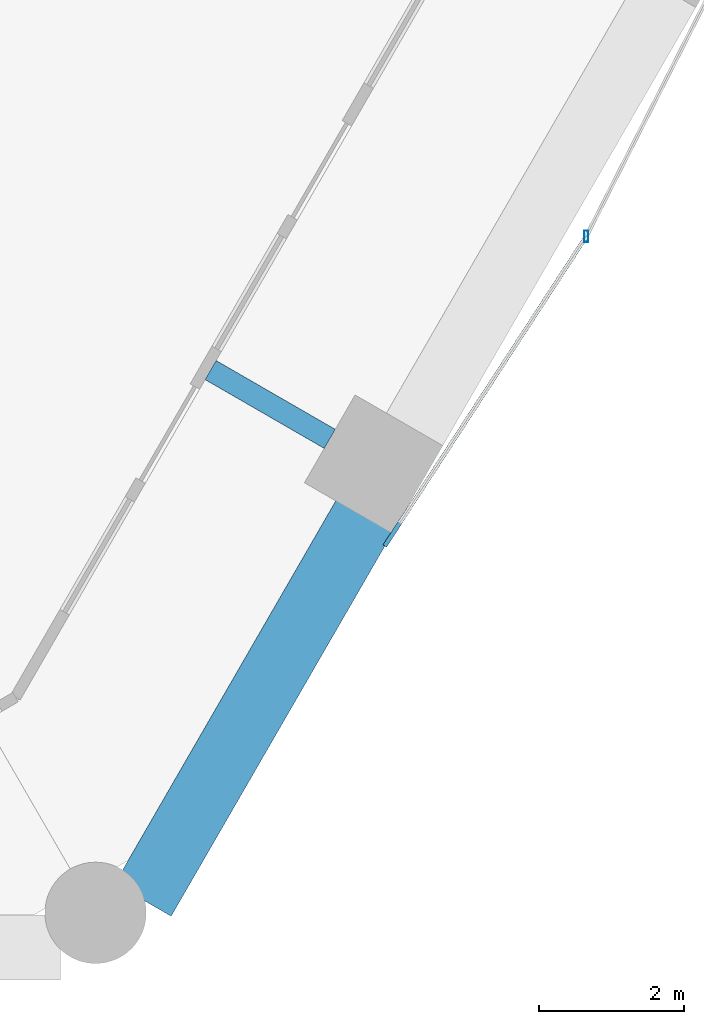
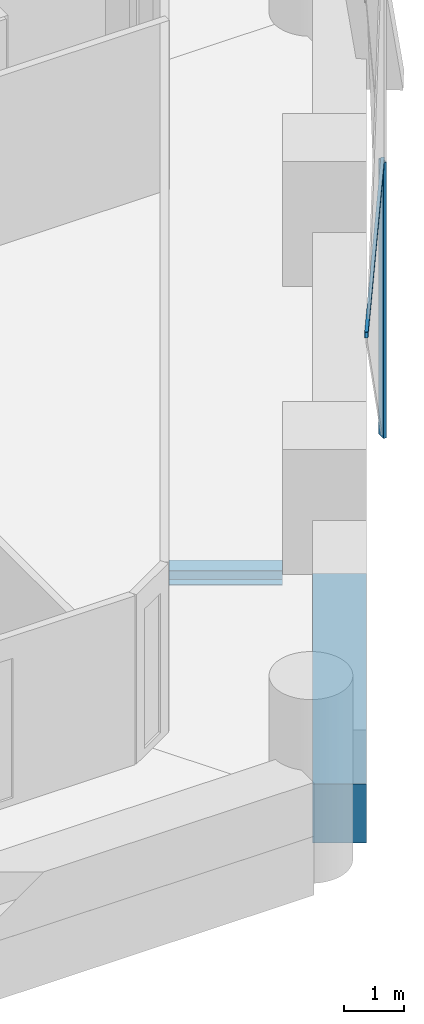
# One storey, part 4 of 16: 2 beams, 2 members, 2 elements without a shape of their own.
"""IFC4 building model written with IfcOpenShell, lengths in metres."""

from ifc_helpers import new_model, si_unit, direction, frame, origin, origin_2d, place, context, subcontext, project, spatial, rectangle, hollow_rectangle, i_section, extrude, material, material_profile, profile_set, type_object, element, aggregate, save


model = new_model("IFC4")

# Units and contexts
model_context = context("Model", 3, precision=1e-05, world=origin(), true_north=direction((0.0, 1.0)))
body_context = subcontext(model_context, "Body", "Model", "MODEL_VIEW")
ifc_project = project(units=[si_unit("LENGTHUNIT", "METRE"), si_unit("AREAUNIT", "SQUARE_METRE"), si_unit("VOLUMEUNIT", "CUBIC_METRE"), si_unit("PLANEANGLEUNIT", "RADIAN"), si_unit("MASSUNIT", "GRAM", prefix="KILO")], contexts=[model_context])

# Site, building, storey
site_placement = place(None, origin())
site = spatial("IfcSite", under=ifc_project, at=site_placement, CompositionType="ELEMENT")
building_placement = place(site_placement, origin())
building = spatial("IfcBuilding", under=site, at=building_placement, Name="Ostrander Bayou Hotel Tower", CompositionType="ELEMENT")
storey_placement = place(building_placement, frame((0.0, 0.0, 58.0)))
storey = spatial("IfcBuildingStorey", under=building, at=storey_placement, Name="L14", CompositionType="ELEMENT", Elevation=58.0)

# Curtain wall, member
ifc_material_1 = material(Name="Aluminium and clear glass", Category="aluminium")
curtain_wall_type = type_object("IfcCurtainWallType", Name="CW-LAT lattice glazing", PredefinedType="NOTDEFINED", material=ifc_material_1)
curtain_wall_1_placement = place(storey_placement, origin())
curtain_wall_1 = element("IfcCurtainWall", 1, at=curtain_wall_1_placement, inside=storey, type_object=curtain_wall_type, Name="CW-LAT L14 SE 1", PredefinedType="NOTDEFINED")
ifc_material_2 = material(Name="Aluminium", Category="aluminium")
ifc_material_profile_1 = material_profile(ifc_material_2, hollow_rectangle(XDim=0.06005859375, YDim=0.159912109375, WallThickness=0.00390625, at=origin_2d()))
ifc_profile_set_1 = profile_set([ifc_material_profile_1], Name="Aluminium")
member_type_1 = type_object("IfcMemberType", Name="CW-LA mullion 60 x 160 mm", PredefinedType="MULLION", material=ifc_profile_set_1)
member_1_placement = place(storey_placement, frame((19.11328125, -11.034912109375, -0.60009765625), z_axis=(0.0, 0.0, 1.0), x_axis=(1.0, 0.0, 0.0)))
member_1 = element("IfcMember", 2, at=member_1_placement, type_object=member_type_1, Name="CW-LAT mullion 1", PredefinedType="MULLION", context=body_context, shape_type="SweptSolid", body=[
    extrude(hollow_rectangle(XDim=0.06005859375, YDim=0.159912109375, WallThickness=0.00390625, at=origin_2d()), origin(), (0.0, 0.0, 1.0), 5.625),
])
aggregate(curtain_wall_1, [member_1])

curtain_wall_2_placement = place(storey_placement, origin())
curtain_wall_2 = element("IfcCurtainWall", 3, at=curtain_wall_2_placement, inside=storey, type_object=curtain_wall_type, Name="CW-LAT L14 SE 2", PredefinedType="NOTDEFINED")
ifc_material_3 = material(Name="Aluminium", Category="aluminium")
ifc_material_profile_2 = material_profile(ifc_material_3, hollow_rectangle(XDim=0.06005859375, YDim=0.1201171875, WallThickness=0.00390625, at=origin_2d()))
ifc_profile_set_2 = profile_set([ifc_material_profile_2], Name="Aluminium")
member_type_2 = type_object("IfcMemberType", Name="CW-LA transom 60 x 120 mm", PredefinedType="USERDEFINED", material=ifc_profile_set_2)
member_2_placement = place(storey_placement, frame((19.11328125, -11.034912109375, 5.02490234375), z_axis=(-0.545450553522, -0.83814300311, 0.0), x_axis=(0.83814300311, -0.545450553522, 0.0)))
member_2 = element("IfcMember", 4, at=member_2_placement, type_object=member_type_2, Name="CW-LAT transom 3", ObjectType="TRANSOM", PredefinedType="USERDEFINED", context=body_context, shape_type="SweptSolid", body=[
    extrude(hollow_rectangle(XDim=0.06005859375, YDim=0.1201171875, WallThickness=0.00390625, at=origin_2d()), origin(), (0.0, 0.0, 1.0), 5.104736328125),
])
aggregate(curtain_wall_2, [member_2])

# Beams
ifc_material_4 = material(Name="Steel ASTM A992", Category="steel")
ifc_material_profile_3 = material_profile(ifc_material_4, i_section(OverallWidth=0.3046875, OverallDepth=0.307861328125, WebThickness=0.010009765625, FlangeThickness=0.015380859375, at=origin_2d()))
ifc_profile_set_3 = profile_set([ifc_material_profile_3], Name="Steel ASTM A992")
beam_type_1 = type_object("IfcBeamType", Name="LB1 loggia bracket W12x65", PredefinedType="BEAM", material=ifc_profile_set_3)
beam_1_placement = place(storey_placement, frame((15.569091796875, -13.833251953125, -0.453857421875), z_axis=(-0.86601224135, 0.500022797313, 0.0), x_axis=(-0.500022797313, -0.86601224135, 0.0)))
element("IfcBeam", 5, at=beam_1_placement, inside=storey, type_object=beam_type_1, Name="LB1 L14 SE1", PredefinedType="BEAM", context=body_context, shape_type="SweptSolid", body=[
    extrude(i_section(OverallWidth=0.3046875, OverallDepth=0.307861328125, WebThickness=0.010009765625, FlangeThickness=0.015380859375, at=origin_2d()), origin(), (0.0, 0.0, 1.0), 1.89990234375),
])
ifc_material_5 = material(Name="Concrete f'c 70 MPa", Category="concrete")
ifc_material_profile_4 = material_profile(ifc_material_5, rectangle(XDim=0.89990234375, YDim=1.199951171875, at=origin_2d()))
ifc_profile_set_4 = profile_set([ifc_material_profile_4], Name="Concrete f'c 70 MPa")
beam_type_2 = type_object("IfcBeamType", Name="SP1 spandrel beam 900 x 1200 mm f'c 70 MPa", PredefinedType="SPANDREL", material=ifc_profile_set_4)
beam_2_placement = place(storey_placement, frame((12.988525390625, -20.203125, -0.60009765625), z_axis=(0.500007141444, 0.86602128063, 0.0), x_axis=(-0.86602128063, 0.500007141444, 0.0)))
element("IfcBeam", 6, at=beam_2_placement, inside=storey, type_object=beam_type_2, Name="SP1 L14 SE-1", PredefinedType="SPANDREL", context=body_context, shape_type="SweptSolid", body=[
    extrude(rectangle(XDim=0.89990234375, YDim=1.199951171875, at=origin_2d()), origin(), (0.0, 0.0, 1.0), 6.13671875),
])

save(model, "model.ifc")
